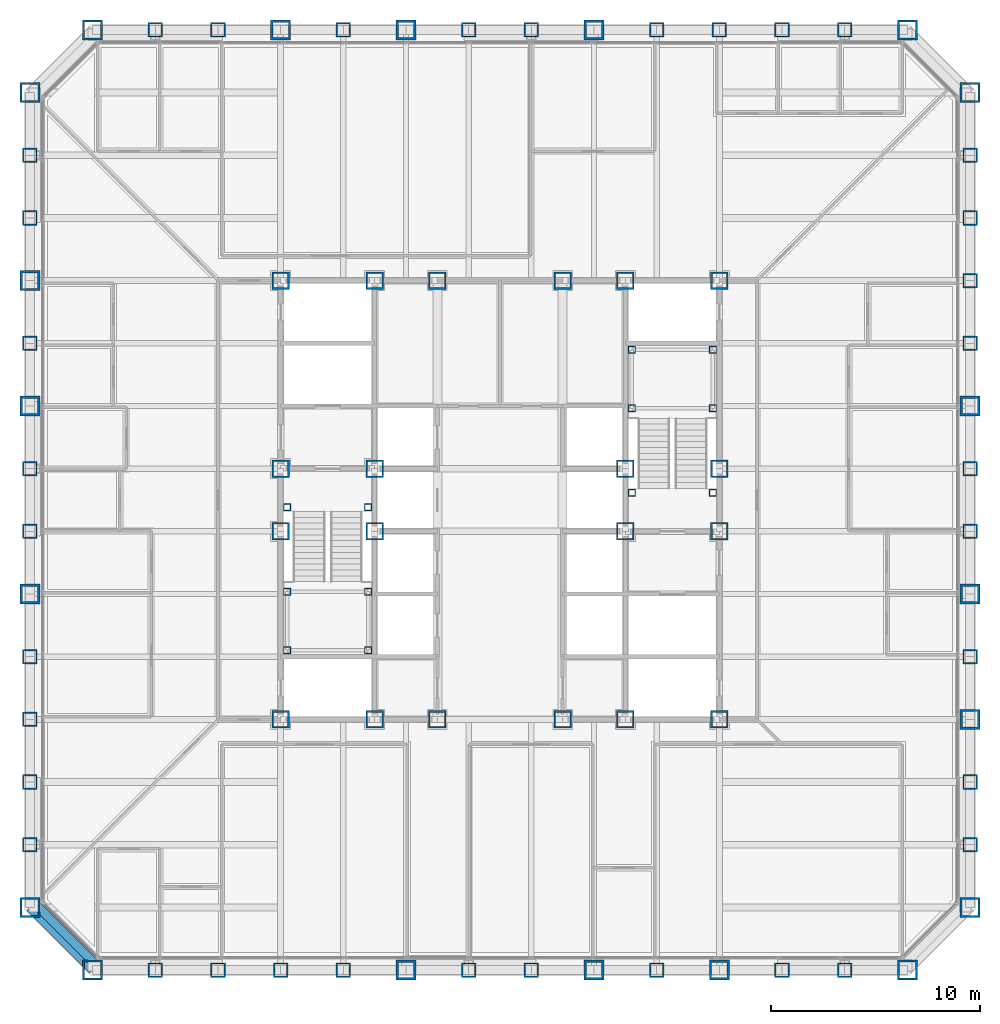
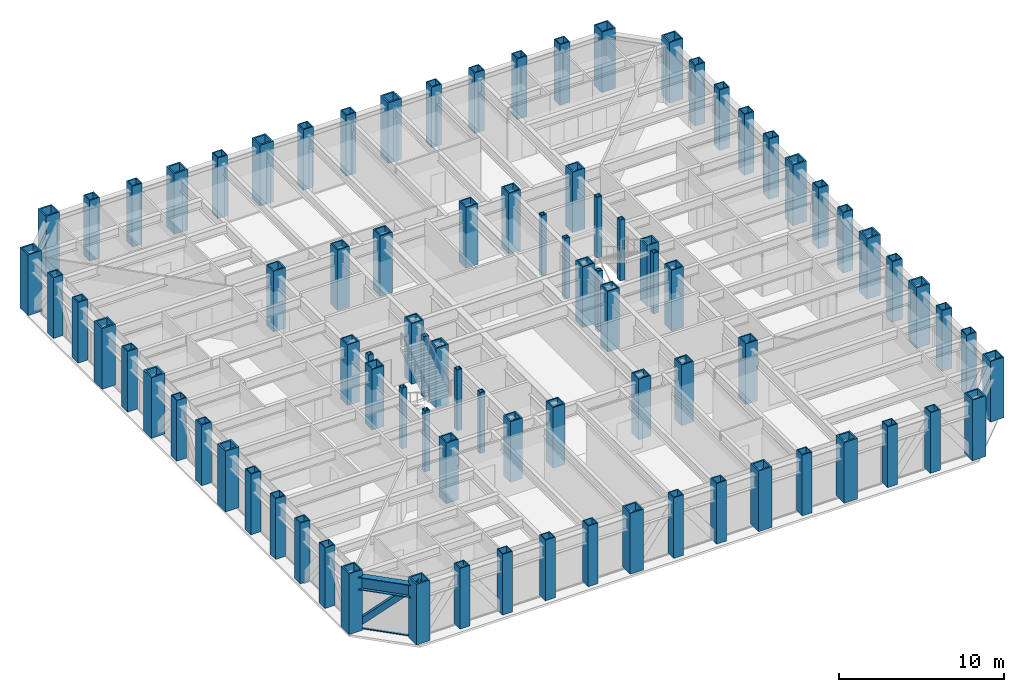
# One storey, part 1 of 17: 88 columns, 2 members, 1 beam, 1 element without a shape of its own.
"""IFC4 building model written with IfcOpenShell, lengths in metres."""

from ifc_helpers import new_model, si_unit, direction, frame, origin, origin_2d, place, context, subcontext, project, spatial, rectangle, hollow_rectangle, i_section, extrude, material, layer, layer_set, material_profile, profile_set, type_object, element, aggregate, save


model = new_model("IFC4")

# Units and contexts
model_context = context("Model", 3, precision=1e-05, world=origin(), true_north=direction((0.0, 1.0)))
body_context = subcontext(model_context, "Body", "Model", "MODEL_VIEW")
ifc_project = project(units=[si_unit("LENGTHUNIT", "METRE"), si_unit("AREAUNIT", "SQUARE_METRE"), si_unit("VOLUMEUNIT", "CUBIC_METRE"), si_unit("PLANEANGLEUNIT", "RADIAN"), si_unit("MASSUNIT", "GRAM", prefix="KILO")], contexts=[model_context])

# Site, building, storey
site_placement = place(None, origin())
site = spatial("IfcSite", under=ifc_project, at=site_placement, CompositionType="ELEMENT")
building_placement = place(site_placement, origin())
building = spatial("IfcBuilding", under=site, at=building_placement, Name="Chuquiago Exchange Tower", CompositionType="ELEMENT")
storey_placement = place(building_placement, frame((0.0, 0.0, 64.800048828125)))
storey = spatial("IfcBuildingStorey", under=building, at=storey_placement, Name="L13", CompositionType="ELEMENT", Elevation=64.800048828125)

# Columns
ifc_material_1 = material(Name="Steel ASTM A572 Grade 50", Category="steel")
ifc_material_profile_1 = material_profile(ifc_material_1, hollow_rectangle(XDim=0.699951171875, YDim=0.699951171875, WallThickness=0.070068359375, at=origin_2d()), Name="BOX700X700X70")
ifc_profile_set_1 = profile_set([ifc_material_profile_1], Name="Steel ASTM A572 Grade 50")
column_type_1 = type_object("IfcColumnType", Name="C2 BOX700X700X70", PredefinedType="COLUMN", material=ifc_profile_set_1)
for number, where, z_axis, x_axis, name in (
    (1, (6.0, 0.0, 0.0), (0.0, 0.0, 1.0), (0.0, -1.0, 0.0), "COL-L13-6_0"),
    (2, (9.0, 0.0, 0.0), (0.0, 0.0, 1.0), (0.0, -1.0, 0.0), "COL-L13-9_0"),
    (3, (12.0, 0.0, 0.0), (0.0, 0.0, 1.0), (0.0, -1.0, 0.0), "COL-L13-12_0"),
    (4, (15.0, 0.0, 0.0), (0.0, 0.0, 1.0), (0.0, -1.0, 0.0), "COL-L13-15_0"),
    (5, (21.0, 0.0, 0.0), (0.0, 0.0, 1.0), (0.0, -1.0, 0.0), "COL-L13-21_0"),
    (6, (24.0, 0.0, 0.0), (0.0, 0.0, 1.0), (0.0, -1.0, 0.0), "COL-L13-24_0"),
    (7, (30.0, 0.0, 0.0), (0.0, 0.0, 1.0), (0.0, -1.0, 0.0), "COL-L13-30_0"),
    (8, (36.0, 0.0, 0.0), (0.0, 0.0, 1.0), (0.0, -1.0, 0.0), "COL-L13-36_0"),
    (9, (39.0, 0.0, 0.0), (0.0, 0.0, 1.0), (0.0, -1.0, 0.0), "COL-L13-39_0"),
    (10, (45.0, 6.0, 0.0), (0.0, 0.0, 1.0), (1.0, 0.0, 0.0), "COL-L13-45_6"),
    (11, (45.0, 9.0, 0.0), (0.0, 0.0, 1.0), (1.0, 0.0, 0.0), "COL-L13-45_9"),
    (12, (45.0, 15.0, 0.0), (0.0, 0.0, 1.0), (1.0, 0.0, 0.0), "COL-L13-45_15"),
    (13, (45.0, 21.0, 0.0), (0.0, 0.0, 1.0), (1.0, 0.0, 0.0), "COL-L13-45_21"),
    (14, (45.0, 24.0, 0.0), (0.0, 0.0, 1.0), (1.0, 0.0, 0.0), "COL-L13-45_24"),
    (15, (45.0, 30.0, 0.0), (0.0, 0.0, 1.0), (1.0, 0.0, 0.0), "COL-L13-45_30"),
    (16, (45.0, 33.0, 0.0), (0.0, 0.0, 1.0), (1.0, 0.0, 0.0), "COL-L13-45_33"),
    (17, (45.0, 36.0, 0.0), (0.0, 0.0, 1.0), (1.0, 0.0, 0.0), "COL-L13-45_36"),
    (18, (45.0, 39.0, 0.0), (0.0, 0.0, 1.0), (1.0, 0.0, 0.0), "COL-L13-45_39"),
    (19, (39.0, 45.0, 0.0), (0.0, 0.0, 1.0), (0.0, 1.0, 0.0), "COL-L13-39_45"),
    (20, (36.0, 45.0, 0.0), (0.0, 0.0, 1.0), (0.0, 1.0, 0.0), "COL-L13-36_45"),
    (21, (33.0, 45.0, 0.0), (0.0, 0.0, 1.0), (0.0, 1.0, 0.0), "COL-L13-33_45"),
    (22, (30.0, 45.0, 0.0), (0.0, 0.0, 1.0), (0.0, 1.0, 0.0), "COL-L13-30_45"),
    (23, (24.0, 45.0, 0.0), (0.0, 0.0, 1.0), (0.0, 1.0, 0.0), "COL-L13-24_45"),
    (24, (21.0, 45.0, 0.0), (0.0, 0.0, 1.0), (0.0, 1.0, 0.0), "COL-L13-21_45"),
    (25, (15.0, 45.0, 0.0), (0.0, 0.0, 1.0), (0.0, 1.0, 0.0), "COL-L13-15_45"),
    (26, (9.0, 45.0, 0.0), (0.0, 0.0, 1.0), (0.0, 1.0, 0.0), "COL-L13-9_45"),
    (27, (6.0, 45.0, 0.0), (0.0, 0.0, 1.0), (0.0, 1.0, 0.0), "COL-L13-6_45"),
    (28, (0.0, 39.0, 0.0), (0.0, 0.0, 1.0), (-1.0, 0.0, 0.0), "COL-L13-0_39"),
    (29, (0.0, 36.0, 0.0), (0.0, 0.0, 1.0), (-1.0, 0.0, 0.0), "COL-L13-0_36"),
    (30, (0.0, 30.0, 0.0), (0.0, 0.0, 1.0), (-1.0, 0.0, 0.0), "COL-L13-0_30"),
    (31, (0.0, 24.0, 0.0), (0.0, 0.0, 1.0), (-1.0, 0.0, 0.0), "COL-L13-0_24"),
    (32, (0.0, 21.0, 0.0), (0.0, 0.0, 1.0), (-1.0, 0.0, 0.0), "COL-L13-0_21"),
    (33, (0.0, 15.0, 0.0), (0.0, 0.0, 1.0), (-1.0, 0.0, 0.0), "COL-L13-0_15"),
    (34, (0.0, 12.0, 0.0), (0.0, 0.0, 1.0), (-1.0, 0.0, 0.0), "COL-L13-0_12"),
    (35, (0.0, 9.0, 0.0), (0.0, 0.0, 1.0), (-1.0, 0.0, 0.0), "COL-L13-0_9"),
    (36, (0.0, 6.0, 0.0), (0.0, 0.0, 1.0), (-1.0, 0.0, 0.0), "COL-L13-0_6"),
):
    element("IfcColumn", number, at=place(storey_placement, frame(where, z_axis=z_axis, x_axis=x_axis)), inside=storey, type_object=column_type_1, Name=name, PredefinedType="COLUMN", context=body_context, shape_type="SweptSolid", body=[
        extrude(hollow_rectangle(XDim=0.699951171875, YDim=0.699951171875, WallThickness=0.070068359375, at=origin_2d()), origin(), (0.0, 0.0, 1.0), 4.5),
    ])
ifc_material_2 = material(Name="Steel ASTM A572 Grade 50", Category="steel")
ifc_material_profile_2 = material_profile(ifc_material_2, hollow_rectangle(XDim=0.85009765625, YDim=0.85009765625, WallThickness=0.0849609375, at=origin_2d()), Name="BOX850X850X85")
ifc_profile_set_2 = profile_set([ifc_material_profile_2], Name="Steel ASTM A572 Grade 50")
column_type_2 = type_object("IfcColumnType", Name="CC2 BOX850X850X85", PredefinedType="COLUMN", material=ifc_profile_set_2)
for number, where, z_axis, x_axis, name in (
    (37, (16.5, 12.0, 0.0), (0.0, 0.0, 1.0), (1.0, 0.0, 0.0), "CCOL-L13-16.5_12"),
    (38, (19.5, 12.0, 0.0), (0.0, 0.0, 1.0), (1.0, 0.0, 0.0), "CCOL-L13-19.5_12"),
    (39, (25.5, 12.0, 0.0), (0.0, 0.0, 1.0), (1.0, 0.0, 0.0), "CCOL-L13-25.5_12"),
    (40, (28.5, 12.0, 0.0), (0.0, 0.0, 1.0), (1.0, 0.0, 0.0), "CCOL-L13-28.5_12"),
    (41, (16.5, 33.0, 0.0), (0.0, 0.0, 1.0), (1.0, 0.0, 0.0), "CCOL-L13-16.5_33"),
    (42, (19.5, 33.0, 0.0), (0.0, 0.0, 1.0), (1.0, 0.0, 0.0), "CCOL-L13-19.5_33"),
    (43, (25.5, 33.0, 0.0), (0.0, 0.0, 1.0), (1.0, 0.0, 0.0), "CCOL-L13-25.5_33"),
    (44, (28.5, 33.0, 0.0), (0.0, 0.0, 1.0), (1.0, 0.0, 0.0), "CCOL-L13-28.5_33"),
    (45, (12.0, 21.0, 0.0), (0.0, 0.0, 1.0), (1.0, 0.0, 0.0), "CCOL-L13-12_21"),
    (46, (12.0, 24.0, 0.0), (0.0, 0.0, 1.0), (1.0, 0.0, 0.0), "CCOL-L13-12_24"),
    (47, (33.0, 21.0, 0.0), (0.0, 0.0, 1.0), (1.0, 0.0, 0.0), "CCOL-L13-33_21"),
    (48, (33.0, 24.0, 0.0), (0.0, 0.0, 1.0), (1.0, 0.0, 0.0), "CCOL-L13-33_24"),
    (49, (16.5, 21.0, 0.0), (0.0, 0.0, 1.0), (1.0, 0.0, 0.0), "CCOL-L13-16.5_21"),
    (50, (16.5, 24.0, 0.0), (0.0, 0.0, 1.0), (1.0, 0.0, 0.0), "CCOL-L13-16.5_24"),
    (51, (28.5, 21.0, 0.0), (0.0, 0.0, 1.0), (1.0, 0.0, 0.0), "CCOL-L13-28.5_21"),
    (52, (28.5, 24.0, 0.0), (0.0, 0.0, 1.0), (1.0, 0.0, 0.0), "CCOL-L13-28.5_24"),
):
    element("IfcColumn", number, at=place(storey_placement, frame(where, z_axis=z_axis, x_axis=x_axis)), inside=storey, type_object=column_type_2, Name=name, PredefinedType="COLUMN", context=body_context, shape_type="SweptSolid", body=[
        extrude(hollow_rectangle(XDim=0.85009765625, YDim=0.85009765625, WallThickness=0.0849609375, at=origin_2d()), origin(), (0.0, 0.0, 1.0), 4.5),
    ])
ifc_material_3 = material(Name="Steel ASTM A572 Grade 50", Category="steel")
ifc_material_profile_3 = material_profile(ifc_material_3, hollow_rectangle(XDim=0.85009765625, YDim=0.85009765625, WallThickness=0.0849609375, at=origin_2d()), Name="BOX850X850X85")
ifc_profile_set_3 = profile_set([ifc_material_profile_3], Name="Steel ASTM A572 Grade 50")
column_type_3 = type_object("IfcColumnType", Name="CC6 BOX850X850X85", PredefinedType="COLUMN", material=ifc_profile_set_3)
for number, where, z_axis, x_axis, name in (
    (53, (12.0, 12.0, 0.0), (0.0, 0.0, 1.0), (1.0, 0.0, 0.0), "CCOL-L13-12_12"),
    (54, (33.0, 12.0, 0.0), (0.0, 0.0, 1.0), (1.0, 0.0, 0.0), "CCOL-L13-33_12"),
    (55, (12.0, 33.0, 0.0), (0.0, 0.0, 1.0), (1.0, 0.0, 0.0), "CCOL-L13-12_33"),
    (56, (33.0, 33.0, 0.0), (0.0, 0.0, 1.0), (1.0, 0.0, 0.0), "CCOL-L13-33_33"),
):
    element("IfcColumn", number, at=place(storey_placement, frame(where, z_axis=z_axis, x_axis=x_axis)), inside=storey, type_object=column_type_3, Name=name, PredefinedType="COLUMN", context=body_context, shape_type="SweptSolid", body=[
        extrude(hollow_rectangle(XDim=0.85009765625, YDim=0.85009765625, WallThickness=0.0849609375, at=origin_2d()), origin(), (0.0, 0.0, 1.0), 4.5),
    ])
ifc_material_4 = material(Name="Steel ASTM A572 Grade 50", Category="steel")
ifc_material_profile_4 = material_profile(ifc_material_4, hollow_rectangle(XDim=0.949951171875, YDim=0.949951171875, WallThickness=0.094970703125, at=origin_2d()), Name="BOX950X950X95")
ifc_profile_set_4 = profile_set([ifc_material_profile_4], Name="Steel ASTM A572 Grade 50")
column_type_4 = type_object("IfcColumnType", Name="CN1 BOX950X950X95", PredefinedType="COLUMN", material=ifc_profile_set_4)
for number, where, z_axis, x_axis, name in (
    (57, (3.0, 0.0, 0.0), (0.0, 0.0, 1.0), (0.0, -1.0, 0.0), "COL-L13-3_0"),
    (58, (42.0, 0.0, 0.0), (0.0, 0.0, 1.0), (0.0, -1.0, 0.0), "COL-L13-42_0"),
    (59, (45.0, 3.0, 0.0), (0.0, 0.0, 1.0), (1.0, 0.0, 0.0), "COL-L13-45_3"),
    (60, (45.0, 42.0, 0.0), (0.0, 0.0, 1.0), (1.0, 0.0, 0.0), "COL-L13-45_42"),
    (61, (42.0, 45.0, 0.0), (0.0, 0.0, 1.0), (0.0, 1.0, 0.0), "COL-L13-42_45"),
    (62, (3.0, 45.0, 0.0), (0.0, 0.0, 1.0), (0.0, 1.0, 0.0), "COL-L13-3_45"),
    (63, (0.0, 42.0, 0.0), (0.0, 0.0, 1.0), (-1.0, 0.0, 0.0), "COL-L13-0_42"),
    (64, (0.0, 3.0, 0.0), (0.0, 0.0, 1.0), (-1.0, 0.0, 0.0), "COL-L13-0_3"),
):
    element("IfcColumn", number, at=place(storey_placement, frame(where, z_axis=z_axis, x_axis=x_axis)), inside=storey, type_object=column_type_4, Name=name, PredefinedType="COLUMN", context=body_context, shape_type="SweptSolid", body=[
        extrude(hollow_rectangle(XDim=0.949951171875, YDim=0.949951171875, WallThickness=0.094970703125, at=origin_2d()), origin(), (0.0, 0.0, 1.0), 4.5),
    ])
ifc_material_5 = material(Name="Steel ASTM A572 Grade 42", Category="steel")
ifc_material_profile_5 = material_profile(ifc_material_5, hollow_rectangle(XDim=0.949951171875, YDim=0.949951171875, WallThickness=0.110107421875, at=origin_2d()), Name="BOX950X950X110")
ifc_profile_set_5 = profile_set([ifc_material_profile_5], Name="Steel ASTM A572 Grade 42")
column_type_5 = type_object("IfcColumnType", Name="CT1 BOX950X950X110", PredefinedType="COLUMN", material=ifc_profile_set_5)
for number, where, z_axis, x_axis, name in (
    (65, (18.0, 0.0, 0.0), (0.0, 0.0, 1.0), (0.0, -1.0, 0.0), "COL-L13-18_0"),
    (66, (27.0, 0.0, 0.0), (0.0, 0.0, 1.0), (0.0, -1.0, 0.0), "COL-L13-27_0"),
    (67, (33.0, 0.0, 0.0), (0.0, 0.0, 1.0), (0.0, -1.0, 0.0), "COL-L13-33_0"),
    (68, (45.0, 12.0, 0.0), (0.0, 0.0, 1.0), (1.0, 0.0, 0.0), "COL-L13-45_12"),
    (69, (45.0, 18.0, 0.0), (0.0, 0.0, 1.0), (1.0, 0.0, 0.0), "COL-L13-45_18"),
    (70, (45.0, 27.0, 0.0), (0.0, 0.0, 1.0), (1.0, 0.0, 0.0), "COL-L13-45_27"),
    (71, (27.0, 45.0, 0.0), (0.0, 0.0, 1.0), (0.0, 1.0, 0.0), "COL-L13-27_45"),
    (72, (18.0, 45.0, 0.0), (0.0, 0.0, 1.0), (0.0, 1.0, 0.0), "COL-L13-18_45"),
    (73, (12.0, 45.0, 0.0), (0.0, 0.0, 1.0), (0.0, 1.0, 0.0), "COL-L13-12_45"),
    (74, (0.0, 33.0, 0.0), (0.0, 0.0, 1.0), (-1.0, 0.0, 0.0), "COL-L13-0_33"),
    (75, (0.0, 27.0, 0.0), (0.0, 0.0, 1.0), (-1.0, 0.0, 0.0), "COL-L13-0_27"),
    (76, (0.0, 18.0, 0.0), (0.0, 0.0, 1.0), (-1.0, 0.0, 0.0), "COL-L13-0_18"),
):
    element("IfcColumn", number, at=place(storey_placement, frame(where, z_axis=z_axis, x_axis=x_axis)), inside=storey, type_object=column_type_5, Name=name, PredefinedType="COLUMN", context=body_context, shape_type="SweptSolid", body=[
        extrude(hollow_rectangle(XDim=0.949951171875, YDim=0.949951171875, WallThickness=0.110107421875, at=origin_2d()), origin(), (0.0, 0.0, 1.0), 4.5),
    ])
ifc_material_6 = material(Name="Steel ASTM A572 Grade 50", Category="steel")
ifc_material_profile_6 = material_profile(ifc_material_6, hollow_rectangle(XDim=0.35009765625, YDim=0.35009765625, WallThickness=0.034912109375, at=origin_2d()), Name="BOX350X350X35")
ifc_profile_set_6 = profile_set([ifc_material_profile_6], Name="Steel ASTM A572 Grade 50")
column_type_6 = type_object("IfcColumnType", Name="PT3 BOX350X350X35", PredefinedType="COLUMN", material=ifc_profile_set_6)
for number, where, z_axis, x_axis, name in (
    (77, (12.31005859375, 15.31005859375, 0.0), (0.0, 0.0, 1.0), (1.0, 0.0, 0.0), "Stair ST1 L13 landing post"),
    (78, (16.18994140625, 15.31005859375, 0.0), (0.0, 0.0, 1.0), (1.0, 0.0, 0.0), "Stair ST1 L13 landing post"),
    (79, (12.31005859375, 18.110107421875, 0.0), (0.0, 0.0, 1.0), (1.0, 0.0, 0.0), "Stair ST1 L13 landing post"),
    (80, (16.18994140625, 18.110107421875, 0.0), (0.0, 0.0, 1.0), (1.0, 0.0, 0.0), "Stair ST1 L13 landing post"),
    (81, (12.31005859375, 22.14990234375, 0.0), (0.0, 0.0, 1.0), (1.0, 0.0, 0.0), "Stair ST1 L13 landing post"),
    (82, (16.18994140625, 22.14990234375, 0.0), (0.0, 0.0, 1.0), (1.0, 0.0, 0.0), "Stair ST1 L13 landing post"),
    (83, (28.81005859375, 29.68994140625, 0.0), (0.0, 0.0, 1.0), (1.0, 0.0, 0.0), "Stair ST2 L13 landing post"),
    (84, (32.68994140625, 29.68994140625, 0.0), (0.0, 0.0, 1.0), (1.0, 0.0, 0.0), "Stair ST2 L13 landing post"),
    (85, (28.81005859375, 26.889892578125, 0.0), (0.0, 0.0, 1.0), (1.0, 0.0, 0.0), "Stair ST2 L13 landing post"),
    (86, (32.68994140625, 26.889892578125, 0.0), (0.0, 0.0, 1.0), (1.0, 0.0, 0.0), "Stair ST2 L13 landing post"),
    (87, (28.81005859375, 22.85009765625, 0.0), (0.0, 0.0, 1.0), (1.0, 0.0, 0.0), "Stair ST2 L13 landing post"),
    (88, (32.68994140625, 22.85009765625, 0.0), (0.0, 0.0, 1.0), (1.0, 0.0, 0.0), "Stair ST2 L13 landing post"),
):
    element("IfcColumn", number, at=place(storey_placement, frame(where, z_axis=z_axis, x_axis=x_axis)), inside=storey, type_object=column_type_6, Name=name, PredefinedType="COLUMN", context=body_context, shape_type="SweptSolid", body=[
        extrude(hollow_rectangle(XDim=0.35009765625, YDim=0.35009765625, WallThickness=0.034912109375, at=origin_2d()), origin(), (0.0, 0.0, 1.0), 4.5),
    ])

# Curtain wall, member
ifc_material_7 = material(Name="Aluminium curtain wall system", Category="aluminium")
ifc_layer = layer(ifc_material_7, 0.199951171875)
ifc_layer_set = layer_set([ifc_layer], Name="CW3 facet curtain wall")
curtain_wall_type = type_object("IfcCurtainWallType", Name="CW3 facet curtain wall", PredefinedType="NOTDEFINED", material=ifc_layer_set)
curtain_wall_placement = place(storey_placement, origin())
curtain_wall = element("IfcCurtainWall", 89, at=curtain_wall_placement, inside=storey, type_object=curtain_wall_type, Name="CW3 curtain wall L13", PredefinedType="NOTDEFINED")
ifc_material_8 = material(Name="Aluminium transom, pale anodised", Category="aluminium")
ifc_material_profile_7 = material_profile(ifc_material_8, rectangle(XDim=0.139892578125, YDim=0.06494140625, at=origin_2d()), Name="AL 140x65")
ifc_profile_set_7 = profile_set([ifc_material_profile_7], Name="Aluminium transom, pale anodised")
member_type_1 = type_object("IfcMemberType", Name="CW3-T transom 65x140", PredefinedType="MULLION", material=ifc_profile_set_7)
member_1_placement = place(storey_placement, frame((0.64599609375, 3.20263671875, -0.267578125), z_axis=(0.707106781187, -0.707106781187, 0.0), x_axis=(0.707106781187, 0.707106781187, 0.0)))
member_1 = element("IfcMember", 90, at=member_1_placement, type_object=member_type_1, Name="CW3 transom 1.1", PredefinedType="MULLION", context=body_context, shape_type="SweptSolid", body=[
    extrude(rectangle(XDim=0.139892578125, YDim=0.06494140625, at=origin_2d()), origin(), (0.0, 0.0, 1.0), 3.61572265625),
])
aggregate(curtain_wall, [member_1])

# Member
ifc_material_9 = material(Name="Steel ASTM A500 Grade C", Category="steel")
ifc_material_profile_8 = material_profile(ifc_material_9, hollow_rectangle(XDim=0.406494140625, YDim=0.406494140625, WallThickness=0.0146484375, at=origin_2d()), Name="HSS16X16X5/8")
ifc_profile_set_8 = profile_set([ifc_material_profile_8], Name="Steel ASTM A500 Grade C")
member_type_2 = type_object("IfcMemberType", Name="LB4 HSS16X16X5/8", PredefinedType="BRACE", material=ifc_profile_set_8)
member_2_placement = place(storey_placement, frame((0.21337890625, 3.21337890625, 0.0), z_axis=(0.512077265487, -0.512077265487, 0.689604051861), x_axis=(0.707106781187, 0.707106781187, 0.0)))
element("IfcMember", 91, at=member_2_placement, inside=storey, type_object=member_type_2, Name="LB-L13-0_3-3_0", PredefinedType="BRACE", context=body_context, shape_type="SweptSolid", body=[
    extrude(hollow_rectangle(XDim=0.406494140625, YDim=0.406494140625, WallThickness=0.0146484375, at=origin_2d()), origin(), (0.0, 0.0, 1.0), 5.8583984375),
])

# Beam
ifc_material_10 = material(Name="Steel ASTM A992", Category="steel")
ifc_material_profile_9 = material_profile(ifc_material_10, i_section(OverallWidth=0.424072265625, OverallDepth=0.947509765625, WebThickness=0.02392578125, FlangeThickness=0.042724609375, at=origin_2d()), Name="W36X302")
ifc_profile_set_9 = profile_set([ifc_material_profile_9], Name="Steel ASTM A992")
beam_type = type_object("IfcBeamType", Name="SP1 W36X302", PredefinedType="SPANDREL", material=ifc_profile_set_9)
beam_placement = place(storey_placement, frame((0.0, 3.0, 3.566162109375), z_axis=(0.707106781187, -0.707106781187, 0.0), x_axis=(0.707106781187, 0.707106781187, 0.0)))
element("IfcBeam", 92, at=beam_placement, inside=storey, type_object=beam_type, Name="SPB-L14-0_3-3_0", PredefinedType="SPANDREL", context=body_context, shape_type="SweptSolid", body=[
    extrude(i_section(OverallWidth=0.424072265625, OverallDepth=0.947509765625, WebThickness=0.02392578125, FlangeThickness=0.042724609375, at=origin_2d()), origin(), (0.0, 0.0, 1.0), 4.24267578125),
])

save(model, "model.ifc")
